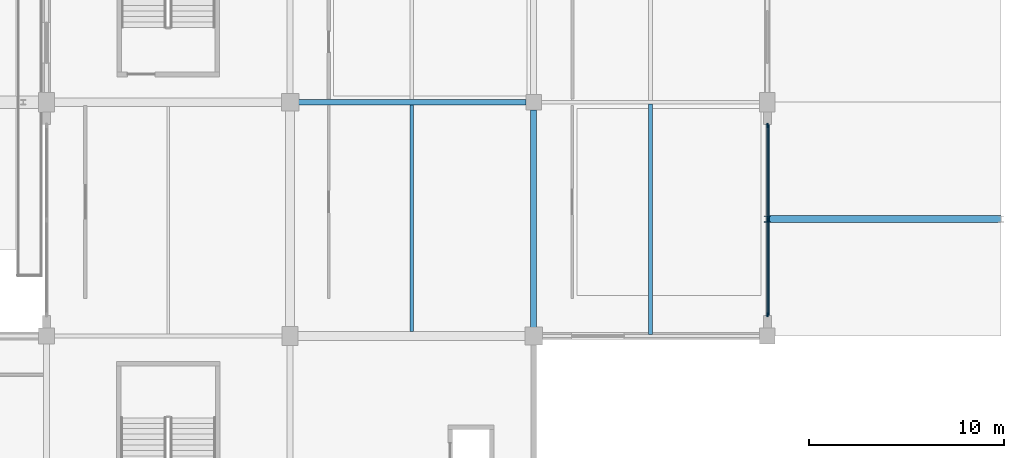
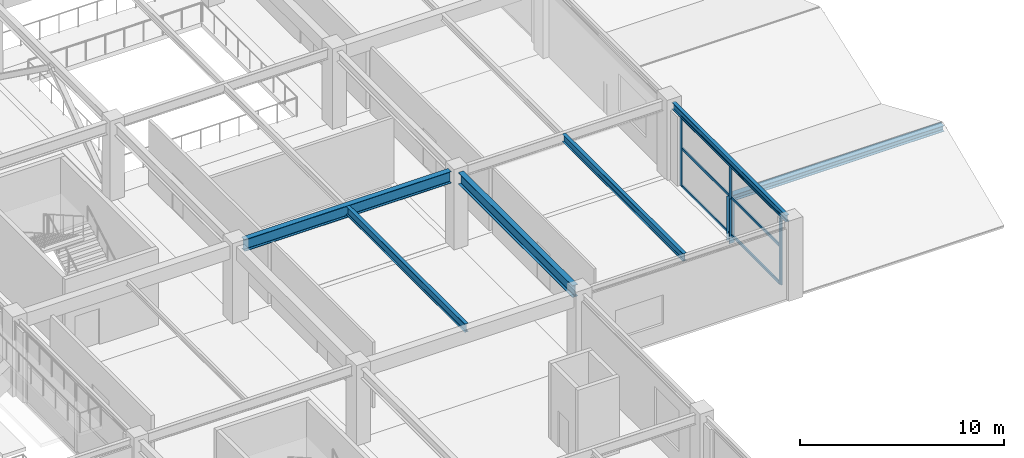
# One storey, part 37 of 134: 11 members, 5 beams, 1 element without a shape of its own.
"""IFC4 building model written with IfcOpenShell, lengths in metres."""

import ifcopenshell
import ifcopenshell.guid

model = None  # the IFC model being written
_history = None  # IfcOwnerHistory: only IFC2X3 demands one
_inside = {}  # id of a spatial element -> (the spatial element, [elements in it])
_under = {}  # id of a project, library or spatial element -> (it, [spatial elements below it])
_declared = {}  # id of a project -> (the project, [libraries it declares])
_typed = {}  # id of a type object -> (the type object, [elements of that type])
_made_of = {}  # id of a material, layer set ... -> (it, [elements and type objects made of it])


def new_model(schema):
    """Start an empty IFC model of exactly this schema.

    Asked for "IFC4X3", IfcOpenShell would pick the latest addendum, in which some entities
    have other attributes; the version numbers below select the first issue.
    IFC2X3 requires an IfcOwnerHistory on every rooted entity: one is made here for all.
    """
    global model, _history
    if schema == "IFC4X3":
        model = ifcopenshell.file(schema_version=(4, 3, 0, 0))
    else:
        model = ifcopenshell.file(schema=schema)
    _inside.clear()
    _under.clear()
    _declared.clear()
    _typed.clear()
    _made_of.clear()
    _history = None
    if model.schema == "IFC2X3":
        org = make("IfcOrganization", Name="unknown")
        user = make(
            "IfcPersonAndOrganization",
            ThePerson=make("IfcPerson", FamilyName="unknown"),
            TheOrganization=org,
        )
        app = make(
            "IfcApplication",
            ApplicationDeveloper=org,
            Version="unknown",
            ApplicationFullName="unknown",
            ApplicationIdentifier="unknown",
        )
        _history = make(
            "IfcOwnerHistory",
            OwningUser=user,
            OwningApplication=app,
            ChangeAction="ADDED",
            CreationDate=0,
        )
    return model


def make(cls, **values):
    """One entity of the class cls with the attributes given. An attribute that is None is left unset."""
    return model.create_entity(
        cls, **{name: value for name, value in values.items() if value is not None}
    )


def rooted(cls, **values):
    """An entity with a GlobalId (a new one), such as an element, a storey or a relation."""
    return make(cls, GlobalId=ifcopenshell.guid.new(), OwnerHistory=_history, **values)


def si_unit(unit_type, name, prefix=None):
    """IfcSIUnit, for example si_unit("LENGTHUNIT", "METRE", prefix="MILLI")."""
    return make("IfcSIUnit", UnitType=unit_type, Prefix=prefix, Name=name)


def assignment(units):
    """IfcUnitAssignment: the units of a project."""
    return None if units is None else make("IfcUnitAssignment", Units=units)


def point(xyz):
    """IfcCartesianPoint."""
    return None if xyz is None else make("IfcCartesianPoint", Coordinates=xyz)


def direction(xyz):
    """IfcDirection."""
    return None if xyz is None else make("IfcDirection", DirectionRatios=xyz)


def frame(location, z_axis=None, x_axis=None):
    """IfcAxis2Placement3D, a coordinate frame: its origin and axes. An axis left out is left unset."""
    return make(
        "IfcAxis2Placement3D",
        Location=point(location),
        Axis=direction(z_axis),
        RefDirection=direction(x_axis),
    )


def frame_2d(location, x_axis=None):
    """IfcAxis2Placement2D, a coordinate frame in the plane: its origin and x axis."""
    return make(
        "IfcAxis2Placement2D", Location=point(location), RefDirection=direction(x_axis)
    )


def origin():
    """The frame at (0, 0, 0) with its axes left unset."""
    return frame((0.0, 0.0, 0.0))


def origin_2d():
    """The frame at (0, 0) in the plane with its x axis left unset."""
    return frame_2d((0.0, 0.0))


def place(relative_to, where):
    """IfcLocalPlacement: puts the frame where relative to a parent placement (None: the world)."""
    return make(
        "IfcLocalPlacement", PlacementRelTo=relative_to, RelativePlacement=where
    )


def context(
    kind, dimensions, precision=None, world=None, true_north=None, identifier=None
):
    """IfcGeometricRepresentationContext, for example the 3D "Model" context."""
    return make(
        "IfcGeometricRepresentationContext",
        ContextIdentifier=identifier,
        ContextType=kind,
        CoordinateSpaceDimension=dimensions,
        Precision=precision,
        WorldCoordinateSystem=world,
        TrueNorth=true_north,
    )


def subcontext(parent, identifier, kind, view, scale=None):
    """IfcGeometricRepresentationSubContext, for example "Body" below "Model"."""
    return make(
        "IfcGeometricRepresentationSubContext",
        ContextIdentifier=identifier,
        ContextType=kind,
        ParentContext=parent,
        TargetScale=scale,
        TargetView=view,
    )


def project(units=None, contexts=None):
    """IfcProject with its units and contexts."""
    return rooted(
        "IfcProject",
        Name="project",
        RepresentationContexts=contexts,
        UnitsInContext=assignment(units),
    )


def spatial(cls, under=None, at=None, **own):
    """A site, building, storey or space (cls), placed at a placement, below another one or the project."""
    s = rooted(cls, ObjectPlacement=at, **own)
    if under is not None:
        _under.setdefault(under.id(), (under, []))[1].append(s)
    return s


def profile(cls, at=None, kind="AREA", **sizes):
    """A parametric profile (cls). Its sizes go by their IFC names, for example OverallWidth=200.0."""
    return make(cls, ProfileType=kind, Position=at, **sizes)


def rectangle(**sizes):
    """IfcRectangleProfileDef."""
    return profile("IfcRectangleProfileDef", **sizes)


def i_section(**sizes):
    """IfcIShapeProfileDef."""
    return profile("IfcIShapeProfileDef", **sizes)


def extrude(swept, where, along, depth):
    """IfcExtrudedAreaSolid: the profile swept, set in the frame where, extruded along a direction by depth."""
    return make(
        "IfcExtrudedAreaSolid",
        SweptArea=swept,
        Position=where,
        ExtrudedDirection=direction(along),
        Depth=depth,
    )


def shape(context_of_items, identifier, shape_type, items):
    """IfcShapeRepresentation: the items that make up one representation, for example the "Body"."""
    return make(
        "IfcShapeRepresentation",
        ContextOfItems=context_of_items,
        RepresentationIdentifier=identifier,
        RepresentationType=shape_type,
        Items=items,
    )


def material(Name=None, Category=None):
    """IfcMaterial."""
    return make("IfcMaterial", Name=Name, Category=Category)


def layer(
    of_material, thickness, ventilated=None, Name=None, Category=None, Priority=None
):
    """IfcMaterialLayer: one layer of a wall or slab, of a material (None: an air gap)."""
    return make(
        "IfcMaterialLayer",
        Material=of_material,
        LayerThickness=thickness,
        IsVentilated=ventilated,
        Name=Name,
        Category=Category,
        Priority=Priority,
    )


def layer_set(layers, Name=None):
    """IfcMaterialLayerSet."""
    return make("IfcMaterialLayerSet", MaterialLayers=layers, LayerSetName=Name)


def material_profile(
    of_material, cross_section, Name=None, Category=None, Priority=None
):
    """IfcMaterialProfile: a cross section and its material."""
    return make(
        "IfcMaterialProfile",
        Name=Name,
        Material=of_material,
        Profile=cross_section,
        Priority=Priority,
        Category=Category,
    )


def profile_set(profiles, Name=None, composite=None):
    """IfcMaterialProfileSet."""
    return make(
        "IfcMaterialProfileSet",
        Name=Name,
        MaterialProfiles=profiles,
        CompositeProfile=composite,
    )


def made_of(thing, what):
    """Note that an element or type object is made of a material, layer set ...; save() writes the relation."""
    if what is not None:
        _made_of.setdefault(what.id(), (what, []))[1].append(thing)
    return thing


def type_object(cls, material=None, **own):
    """A type object (cls), such as IfcWallType, which elements share."""
    return made_of(rooted(cls, **own), material)


def element(
    cls,
    number,
    at=None,
    inside=None,
    cuts=None,
    type_object=None,
    material=None,
    context=None,
    identifier="Body",
    shape_type=None,
    held_by="IfcProductDefinitionShape",
    body=None,
    shapes=None,
    **own,
):
    """One element of the class cls, such as IfcWall. Its Tag is "e" and its number.

    at: its placement. inside: the storey or other place that contains it. cuts: it is an
    opening in that element (IfcRelVoidsElement). A single representation is given by context,
    identifier, shape_type and body (its items); several are given by shapes. held_by: the class
    of the entity that holds the representations. save() writes the other relations.
    """
    e = rooted(cls, Tag="e%d" % number, ObjectPlacement=at, **own)
    if body is not None:
        shapes = [shape(context, identifier, shape_type, body)]
    if shapes is not None:
        e.Representation = make(held_by, Representations=shapes)
    if inside is not None:
        _inside.setdefault(inside.id(), (inside, []))[1].append(e)
    if cuts is not None:
        rooted(
            "IfcRelVoidsElement", RelatingBuildingElement=cuts, RelatedOpeningElement=e
        )
    if type_object is not None:
        _typed.setdefault(type_object.id(), (type_object, []))[1].append(e)
    return made_of(e, material)


def aggregate(whole, parts):
    """IfcRelAggregates: a whole, such as a stair, and the parts it consists of."""
    return rooted("IfcRelAggregates", RelatingObject=whole, RelatedObjects=parts)


def save(model, path):
    """Write the relations noted so far, then the file.

    IfcRelAggregates (storeys below a building ...), IfcRelContainedInSpatialStructure (elements
    in a storey), IfcRelDefinesByType, IfcRelAssociatesMaterial and IfcRelDeclares: one each for
    every whole, place, type object, material and project.
    """
    for whole, parts in _under.values():
        aggregate(whole, parts)
    for where, things in _inside.values():
        rooted(
            "IfcRelContainedInSpatialStructure",
            RelatedElements=things,
            RelatingStructure=where,
        )
    for kind, things in _typed.values():
        rooted("IfcRelDefinesByType", RelatedObjects=things, RelatingType=kind)
    for what, things in _made_of.values():
        rooted("IfcRelAssociatesMaterial", RelatedObjects=things, RelatingMaterial=what)
    for by, libraries in _declared.values():
        rooted("IfcRelDeclares", RelatingContext=by, RelatedDefinitions=libraries)
    model.write(path)


model = new_model("IFC4")

# Units and contexts
model_context = context("Model", 3, precision=1e-05, world=origin(), true_north=direction((0.0, 1.0)))
body_context = subcontext(model_context, "Body", "Model", "MODEL_VIEW")
ifc_project = project(units=[si_unit("LENGTHUNIT", "METRE"), si_unit("AREAUNIT", "SQUARE_METRE"), si_unit("VOLUMEUNIT", "CUBIC_METRE"), si_unit("PLANEANGLEUNIT", "RADIAN"), si_unit("MASSUNIT", "GRAM", prefix="KILO")], contexts=[model_context])

# Site, building, storey
site_placement = place(None, origin())
site = spatial("IfcSite", under=ifc_project, at=site_placement, CompositionType="ELEMENT")
building_placement = place(site_placement, origin())
building = spatial("IfcBuilding", under=site, at=building_placement, Name="Kazenohara Klinker Stadium", CompositionType="ELEMENT")
storey_placement = place(building_placement, frame((0.0, 0.0, 5.39990234375)))
storey = spatial("IfcBuildingStorey", under=building, at=storey_placement, Name="L01", CompositionType="ELEMENT", Elevation=5.39990234375)

# Beams
ifc_material_1 = material(Name="Steel S355", Category="steel")
ifc_material_profile_1 = material_profile(ifc_material_1, i_section(OverallWidth=0.199951171875, OverallDepth=0.5, WebThickness=0.010009765625, FlangeThickness=0.01611328125, FilletRadius=0.012939453125, at=origin_2d()), Name="H-500x200x10x16")
ifc_profile_set_1 = profile_set([ifc_material_profile_1], Name="Steel S355")
beam_type_1 = type_object("IfcBeamType", Name="BM-JST01", PredefinedType="JOIST", material=ifc_profile_set_1)
beam_1_placement = place(storey_placement, frame((193.75, 36.22509765625, 4.300048828125), z_axis=(0.0, 1.0, 0.0), x_axis=(-1.0, 0.0, 0.0)))
element("IfcBeam", 1, at=beam_1_placement, inside=storey, type_object=beam_type_1, Name="Secondary floor joist SJ01 L01 16/D", PredefinedType="JOIST", context=body_context, shape_type="SweptSolid", body=[
    extrude(i_section(OverallWidth=0.199951171875, OverallDepth=0.5, WebThickness=0.010009765625, FlangeThickness=0.01611328125, FilletRadius=0.012939453125, at=origin_2d()), origin(), (0.0, 0.0, 1.0), 11.625),
])
ifc_material_profile_2 = material_profile(ifc_material_1, i_section(OverallWidth=0.199951171875, OverallDepth=0.449951171875, WebThickness=0.009033203125, FlangeThickness=0.013916015625, FilletRadius=0.012939453125, at=origin_2d()), Name="H-450x200x9x14")
ifc_profile_set_2 = profile_set([ifc_material_profile_2], Name="Steel S355")
beam_type_2 = type_object("IfcBeamType", Name="BM-JST02", PredefinedType="JOIST", material=ifc_profile_set_2)
beam_2_placement = place(storey_placement, frame((206.0, 36.08740234375, 4.3251953125), z_axis=(0.0, 1.0, 0.0), x_axis=(-1.0, 0.0, 0.0)))
element("IfcBeam", 2, at=beam_2_placement, inside=storey, type_object=beam_type_2, Name="Secondary floor joist SJ02 L01 17/D", PredefinedType="JOIST", context=body_context, shape_type="SweptSolid", body=[
    extrude(i_section(OverallWidth=0.199951171875, OverallDepth=0.449951171875, WebThickness=0.009033203125, FlangeThickness=0.013916015625, FilletRadius=0.012939453125, at=origin_2d()), origin(), (0.0, 0.0, 1.0), 11.8125),
])
ifc_material_profile_3 = material_profile(ifc_material_1, i_section(OverallWidth=0.199951171875, OverallDepth=0.39990234375, WebThickness=0.008056640625, FlangeThickness=0.012939453125, FilletRadius=0.012939453125, at=origin_2d()), Name="H-400x200x8x13")
ifc_profile_set_3 = profile_set([ifc_material_profile_3], Name="Steel S355")
beam_type_3 = type_object("IfcBeamType", Name="BM-SPD01", PredefinedType="SPANDREL", material=ifc_profile_set_3)
beam_3_placement = place(storey_placement, frame((212.0, 36.39990234375, 4.35009765625), z_axis=(0.0, 1.0, 0.0), x_axis=(-1.0, 0.0, 0.0)))
element("IfcBeam", 3, at=beam_3_placement, inside=storey, type_object=beam_type_3, Name="Primary girder SP01 L01 18/D-E", PredefinedType="SPANDREL", context=body_context, shape_type="SweptSolid", body=[
    extrude(i_section(OverallWidth=0.199951171875, OverallDepth=0.39990234375, WebThickness=0.008056640625, FlangeThickness=0.012939453125, FilletRadius=0.012939453125, at=origin_2d()), origin(), (0.0, 0.0, 1.0), 11.18017578125),
])
ifc_material_profile_4 = material_profile(ifc_material_1, i_section(OverallWidth=0.300048828125, OverallDepth=0.699951171875, WebThickness=0.012939453125, FlangeThickness=0.02392578125, FilletRadius=0.02197265625, at=origin_2d()), Name="H-700x300x13x24")
ifc_profile_set_4 = profile_set([ifc_material_profile_4], Name="Steel S355")
beam_type_4 = type_object("IfcBeamType", Name="BM-ST03", PredefinedType="BEAM", material=ifc_profile_set_4)
beam_4_placement = place(storey_placement, frame((187.919921875, 48.0, 4.2001953125), z_axis=(1.0, 0.0, 0.0), x_axis=(0.0, 1.0, 0.0)))
element("IfcBeam", 4, at=beam_4_placement, inside=storey, type_object=beam_type_4, Name="Primary girder SB03 L01 16-17/E", PredefinedType="BEAM", context=body_context, shape_type="SweptSolid", body=[
    extrude(i_section(OverallWidth=0.300048828125, OverallDepth=0.699951171875, WebThickness=0.012939453125, FlangeThickness=0.02392578125, FilletRadius=0.02197265625, at=origin_2d()), origin(), (0.0, 0.0, 1.0), 11.68017578125),
])
beam_5_placement = place(storey_placement, frame((200.0, 36.419921875, 4.2001953125), z_axis=(0.0, 1.0, 0.0), x_axis=(-1.0, 0.0, 0.0)))
element("IfcBeam", 5, at=beam_5_placement, inside=storey, type_object=beam_type_4, Name="Primary girder SB03 L01 17/D-E", PredefinedType="BEAM", context=body_context, shape_type="SweptSolid", body=[
    extrude(i_section(OverallWidth=0.300048828125, OverallDepth=0.699951171875, WebThickness=0.012939453125, FlangeThickness=0.02392578125, FilletRadius=0.02197265625, at=origin_2d()), origin(), (0.0, 0.0, 1.0), 11.18017578125),
])

# Curtain wall, members
ifc_material_2 = material(Name="Anodised aluminium and triple glazing", Category="aluminium")
ifc_layer = layer(ifc_material_2, 0.179931640625)
ifc_layer_set = layer_set([ifc_layer], Name="Anodised aluminium and triple glazing")
curtain_wall_type = type_object("IfcCurtainWallType", Name="CW-SYS-02", PredefinedType="USERDEFINED", material=ifc_layer_set)
curtain_wall_placement = place(storey_placement, origin())
curtain_wall = element("IfcCurtainWall", 6, at=curtain_wall_placement, inside=storey, type_object=curtain_wall_type, Name="Unitised facade curtain wall CW02 L01 Y17-3", ObjectType="UNITISED CURTAIN WALL", PredefinedType="USERDEFINED")
ifc_material_3 = material(Name="Anodised aluminium 6063-T6", Category="aluminium")
ifc_material_profile_5 = material_profile(ifc_material_3, rectangle(XDim=0.074951171875, YDim=0.219970703125, at=origin_2d()), Name="ALU-MUL-75x220")
ifc_profile_set_5 = profile_set([ifc_material_profile_5], Name="Anodised aluminium 6063-T6")
member_type_1 = type_object("IfcMemberType", Name="CW-MUL-220", PredefinedType="MULLION", material=ifc_profile_set_5)
member_1_placement = place(storey_placement, frame((212.0, 37.091552734375, 0.0), z_axis=(0.0, 0.0, 1.0), x_axis=(-1.0, 0.0, 0.0)))
member_1 = element("IfcMember", 7, at=member_1_placement, type_object=member_type_1, Name="CW02 mullion 1", PredefinedType="MULLION", context=body_context, shape_type="SweptSolid", body=[
    extrude(rectangle(XDim=0.074951171875, YDim=0.219970703125, at=origin_2d()), origin(), (0.0, 0.0, 1.0), 4.150146484375),
])
member_2_placement = place(storey_placement, frame((212.0, 41.949951171875, 0.0), z_axis=(0.0, 0.0, 1.0), x_axis=(-1.0, 0.0, 0.0)))
member_2 = element("IfcMember", 8, at=member_2_placement, type_object=member_type_1, Name="CW02 mullion 2", PredefinedType="MULLION", context=body_context, shape_type="SweptSolid", body=[
    extrude(rectangle(XDim=0.074951171875, YDim=0.219970703125, at=origin_2d()), origin(), (0.0, 0.0, 1.0), 4.150146484375),
])
member_3_placement = place(storey_placement, frame((212.0, 46.80859375, 0.0), z_axis=(0.0, 0.0, 1.0), x_axis=(-1.0, 0.0, 0.0)))
member_3 = element("IfcMember", 9, at=member_3_placement, type_object=member_type_1, Name="CW02 mullion 3", PredefinedType="MULLION", context=body_context, shape_type="SweptSolid", body=[
    extrude(rectangle(XDim=0.074951171875, YDim=0.219970703125, at=origin_2d()), origin(), (0.0, 0.0, 1.0), 4.150146484375),
])
ifc_material_profile_6 = material_profile(ifc_material_3, rectangle(XDim=0.074951171875, YDim=0.159912109375, at=origin_2d()), Name="ALU-TRN-75x160")
ifc_profile_set_6 = profile_set([ifc_material_profile_6], Name="Anodised aluminium 6063-T6")
member_type_2 = type_object("IfcMemberType", Name="CW-TRN-160", PredefinedType="USERDEFINED", material=ifc_profile_set_6)
member_4_placement = place(storey_placement, frame((212.0, 37.12890625, 0.03759765625), z_axis=(0.0, 1.0, 0.0), x_axis=(-1.0, 0.0, 0.0)))
member_4 = element("IfcMember", 10, at=member_4_placement, type_object=member_type_2, Name="CW02 transom 1.1", ObjectType="TRANSOM", PredefinedType="USERDEFINED", context=body_context, shape_type="SweptSolid", body=[
    extrude(rectangle(XDim=0.074951171875, YDim=0.159912109375, at=origin_2d()), origin(), (0.0, 0.0, 1.0), 4.78369140625),
])
member_5_placement = place(storey_placement, frame((212.0, 37.12890625, 2.28271484375), z_axis=(0.0, 1.0, 0.0), x_axis=(-1.0, 0.0, 0.0)))
member_5 = element("IfcMember", 11, at=member_5_placement, type_object=member_type_2, Name="CW02 transom 1.2", ObjectType="TRANSOM", PredefinedType="USERDEFINED", context=body_context, shape_type="SweptSolid", body=[
    extrude(rectangle(XDim=0.074951171875, YDim=0.159912109375, at=origin_2d()), origin(), (0.0, 0.0, 1.0), 4.78369140625),
])
member_6_placement = place(storey_placement, frame((212.0, 37.12890625, 4.112548828125), z_axis=(0.0, 1.0, 0.0), x_axis=(-1.0, 0.0, 0.0)))
member_6 = element("IfcMember", 12, at=member_6_placement, type_object=member_type_2, Name="CW02 transom 1.3", ObjectType="TRANSOM", PredefinedType="USERDEFINED", context=body_context, shape_type="SweptSolid", body=[
    extrude(rectangle(XDim=0.074951171875, YDim=0.159912109375, at=origin_2d()), origin(), (0.0, 0.0, 1.0), 4.78369140625),
])
member_7_placement = place(storey_placement, frame((212.0, 41.987548828125, 0.03759765625), z_axis=(0.0, 1.0, 0.0), x_axis=(-1.0, 0.0, 0.0)))
member_7 = element("IfcMember", 13, at=member_7_placement, type_object=member_type_2, Name="CW02 transom 2.1", ObjectType="TRANSOM", PredefinedType="USERDEFINED", context=body_context, shape_type="SweptSolid", body=[
    extrude(rectangle(XDim=0.074951171875, YDim=0.159912109375, at=origin_2d()), origin(), (0.0, 0.0, 1.0), 4.783447265625),
])
member_8_placement = place(storey_placement, frame((212.0, 41.987548828125, 2.28271484375), z_axis=(0.0, 1.0, 0.0), x_axis=(-1.0, 0.0, 0.0)))
member_8 = element("IfcMember", 14, at=member_8_placement, type_object=member_type_2, Name="CW02 transom 2.2", ObjectType="TRANSOM", PredefinedType="USERDEFINED", context=body_context, shape_type="SweptSolid", body=[
    extrude(rectangle(XDim=0.074951171875, YDim=0.159912109375, at=origin_2d()), origin(), (0.0, 0.0, 1.0), 4.783447265625),
])
member_9_placement = place(storey_placement, frame((212.0, 41.987548828125, 4.112548828125), z_axis=(0.0, 1.0, 0.0), x_axis=(-1.0, 0.0, 0.0)))
member_9 = element("IfcMember", 15, at=member_9_placement, type_object=member_type_2, Name="CW02 transom 2.3", ObjectType="TRANSOM", PredefinedType="USERDEFINED", context=body_context, shape_type="SweptSolid", body=[
    extrude(rectangle(XDim=0.074951171875, YDim=0.159912109375, at=origin_2d()), origin(), (0.0, 0.0, 1.0), 4.783447265625),
])
aggregate(curtain_wall, [member_1, member_2, member_3, member_4, member_5, member_6, member_7, member_8, member_9])

# Members
ifc_material_profile_7 = material_profile(ifc_material_1, i_section(OverallWidth=0.35009765625, OverallDepth=0.35009765625, WebThickness=0.011962890625, FlangeThickness=0.01904296875, FilletRadius=0.012939453125, at=origin_2d()), Name="H-350x350x12x19")
ifc_profile_set_7 = profile_set([ifc_material_profile_7], Name="Steel S355")
member_type_3 = type_object("IfcMemberType", Name="MEM-CHD02", PredefinedType="CHORD", material=ifc_profile_set_7)
member_10_placement = place(storey_placement, frame((212.0, 42.0, 2.22998046875), z_axis=(1.0, 0.0, 0.0), x_axis=(0.0, 1.0, 0.0)))
element("IfcMember", 16, at=member_10_placement, inside=storey, type_object=member_type_3, Name="Stepped pavilion gable ridge beam L01 18/D", PredefinedType="CHORD", context=body_context, shape_type="SweptSolid", body=[
    extrude(i_section(OverallWidth=0.35009765625, OverallDepth=0.35009765625, WebThickness=0.011962890625, FlangeThickness=0.01904296875, FilletRadius=0.012939453125, at=origin_2d()), origin(), (0.0, 0.0, 1.0), 12.0),
])
ifc_material_profile_8 = material_profile(ifc_material_1, i_section(OverallWidth=0.300048828125, OverallDepth=0.300048828125, WebThickness=0.010009765625, FlangeThickness=0.014892578125, FilletRadius=0.012939453125, at=origin_2d()), Name="H-300x300x10x15")
ifc_profile_set_8 = profile_set([ifc_material_profile_8], Name="Steel S355")
member_type_4 = type_object("IfcMemberType", Name="MEM-STR01", PredefinedType="STRUT", material=ifc_profile_set_8)
member_11_placement = place(storey_placement, frame((212.0, 42.0, -0.429931640625), z_axis=(0.0, 0.0, 1.0), x_axis=(1.0, 0.0, 0.0)))
element("IfcMember", 17, at=member_11_placement, inside=storey, type_object=member_type_4, Name="Stepped pavilion gable king-post L01 18/D W", PredefinedType="STRUT", context=body_context, shape_type="SweptSolid", body=[
    extrude(i_section(OverallWidth=0.300048828125, OverallDepth=0.300048828125, WebThickness=0.010009765625, FlangeThickness=0.014892578125, FilletRadius=0.012939453125, at=origin_2d()), origin(), (0.0, 0.0, 1.0), 2.659912109375),
])

save(model, "model.ifc")
